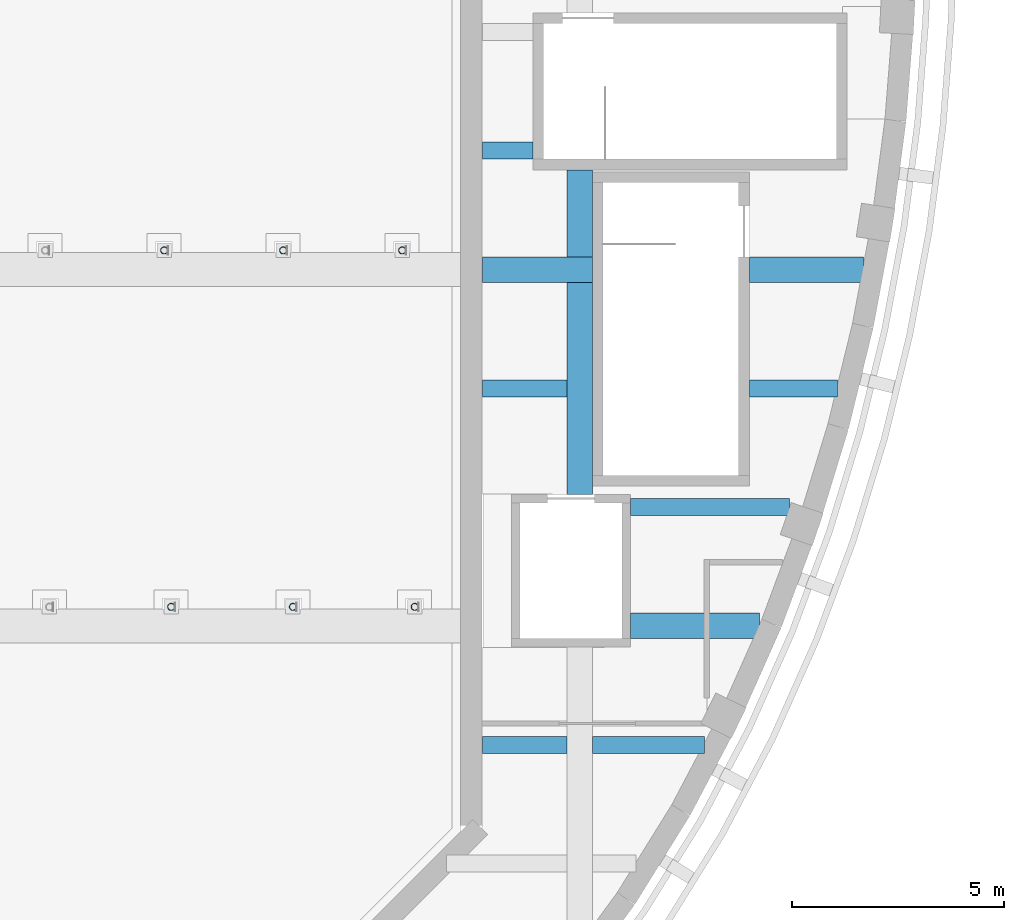
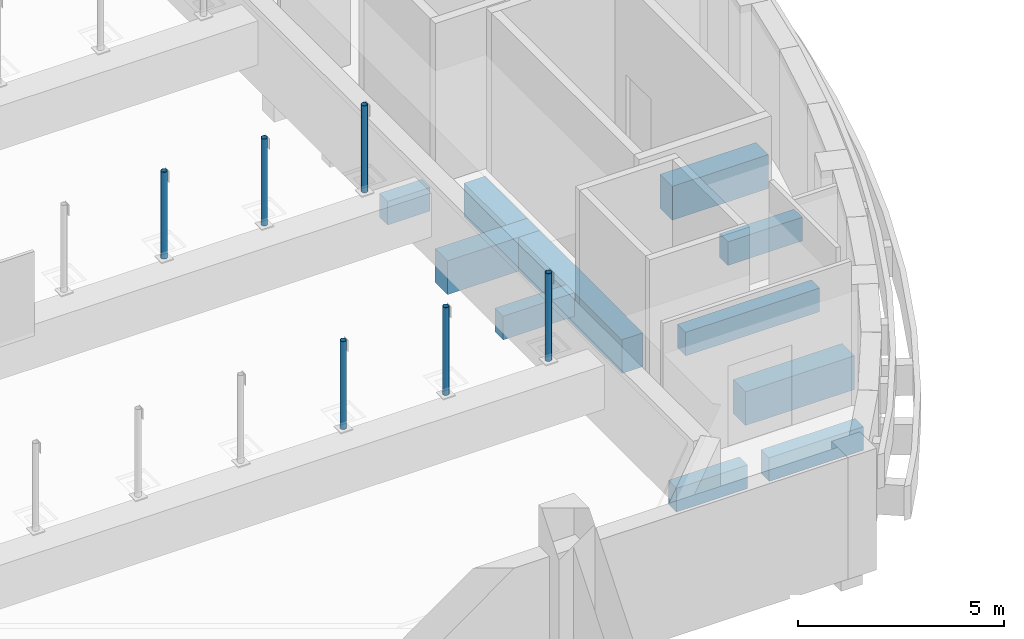
# One storey, part 15 of 47: 10 beams, 6 members.
"""IFC4 building model written with IfcOpenShell, lengths in metres."""

from ifc_helpers import new_model, si_unit, direction, frame, origin, origin_2d, place, context, subcontext, project, spatial, rectangle, hollow_circle, extrude, material, material_profile, profile_set, type_object, element, save


model = new_model("IFC4")

# Units and contexts
model_context = context("Model", 3, precision=1e-05, world=origin(), true_north=direction((0.0, 1.0)))
body_context = subcontext(model_context, "Body", "Model", "MODEL_VIEW")
ifc_project = project(units=[si_unit("LENGTHUNIT", "METRE"), si_unit("AREAUNIT", "SQUARE_METRE"), si_unit("VOLUMEUNIT", "CUBIC_METRE"), si_unit("PLANEANGLEUNIT", "RADIAN"), si_unit("MASSUNIT", "GRAM", prefix="KILO")], contexts=[model_context])

# Site, building, storey
site_placement = place(None, origin())
site = spatial("IfcSite", under=ifc_project, at=site_placement, CompositionType="ELEMENT")
building_placement = place(site_placement, origin())
building = spatial("IfcBuilding", under=site, at=building_placement, Name="Larchfold Concert Hall", CompositionType="ELEMENT")
storey_placement = place(building_placement, frame((0.0, 0.0, 24.0)))
storey = spatial("IfcBuildingStorey", under=building, at=storey_placement, Name="L05", CompositionType="ELEMENT", Elevation=24.0)

# Beams
ifc_material_1 = material(Name="Concrete C35/45", Category="concrete")
ifc_material_profile_1 = material_profile(ifc_material_1, rectangle(XDim=0.39990234375, YDim=0.699951171875, at=origin_2d()))
ifc_profile_set_1 = profile_set([ifc_material_profile_1], Name="Concrete C35/45")
beam_type_1 = type_object("IfcBeamType", Name="Beam RC 400x700", PredefinedType="BEAM", material=ifc_profile_set_1)
beam_1_placement = place(storey_placement, frame((57.110107421875, 65.0, -0.550048828125), z_axis=(1.0, 0.0, 0.0), x_axis=(0.0, 1.0, 0.0)))
element("IfcBeam", 1, at=beam_1_placement, inside=storey, type_object=beam_type_1, Name="Beam B1556", PredefinedType="BEAM", context=body_context, shape_type="SweptSolid", body=[
    extrude(rectangle(XDim=0.39990234375, YDim=0.699951171875, at=origin_2d()), origin(), (0.0, 0.0, 1.0), 1.989990234375),
])
beam_2_placement = place(storey_placement, frame((59.699951171875, 65.0, -0.550048828125), z_axis=(1.0, 0.0, 0.0), x_axis=(0.0, 1.0, 0.0)))
element("IfcBeam", 2, at=beam_2_placement, inside=storey, type_object=beam_type_1, Name="Beam B1557", PredefinedType="BEAM", context=body_context, shape_type="SweptSolid", body=[
    extrude(rectangle(XDim=0.39990234375, YDim=0.699951171875, at=origin_2d()), origin(), (0.0, 0.0, 1.0), 2.64013671875),
])
beam_3_placement = place(storey_placement, frame((60.60009765625, 70.60009765625, -0.550048828125), z_axis=(1.0, 0.0, 0.0), x_axis=(0.0, 1.0, 0.0)))
element("IfcBeam", 3, at=beam_3_placement, inside=storey, type_object=beam_type_1, Name="Beam B1559", PredefinedType="BEAM", context=body_context, shape_type="SweptSolid", body=[
    extrude(rectangle(XDim=0.39990234375, YDim=0.699951171875, at=origin_2d()), origin(), (0.0, 0.0, 1.0), 3.748779296875),
])
beam_4_placement = place(storey_placement, frame((57.110107421875, 73.39990234375, -0.550048828125), z_axis=(1.0, 0.0, 0.0), x_axis=(0.0, 1.0, 0.0)))
element("IfcBeam", 4, at=beam_4_placement, inside=storey, type_object=beam_type_1, Name="Beam B1562", PredefinedType="BEAM", context=body_context, shape_type="SweptSolid", body=[
    extrude(rectangle(XDim=0.39990234375, YDim=0.699951171875, at=origin_2d()), origin(), (0.0, 0.0, 1.0), 1.989990234375),
])
beam_5_placement = place(storey_placement, frame((63.39990234375, 73.39990234375, -0.550048828125), z_axis=(1.0, 0.0, 0.0), x_axis=(0.0, 1.0, 0.0)))
element("IfcBeam", 5, at=beam_5_placement, inside=storey, type_object=beam_type_1, Name="Beam B1563", PredefinedType="BEAM", context=body_context, shape_type="SweptSolid", body=[
    extrude(rectangle(XDim=0.39990234375, YDim=0.699951171875, at=origin_2d()), origin(), (0.0, 0.0, 1.0), 2.0791015625),
])
beam_6_placement = place(storey_placement, frame((57.110107421875, 79.0, -0.550048828125), z_axis=(1.0, 0.0, 0.0), x_axis=(0.0, 1.0, 0.0)))
element("IfcBeam", 6, at=beam_6_placement, inside=storey, type_object=beam_type_1, Name="Beam B1565", PredefinedType="BEAM", context=body_context, shape_type="SweptSolid", body=[
    extrude(rectangle(XDim=0.39990234375, YDim=0.699951171875, at=origin_2d()), origin(), (0.0, 0.0, 1.0), 1.18994140625),
])
ifc_material_2 = material(Name="Concrete C35/45", Category="concrete")
ifc_material_profile_2 = material_profile(ifc_material_2, rectangle(XDim=0.60009765625, YDim=1.0, at=origin_2d()))
ifc_profile_set_2 = profile_set([ifc_material_profile_2], Name="Concrete C35/45")
beam_type_2 = type_object("IfcBeamType", Name="Beam RC 600x1000", PredefinedType="BEAM", material=ifc_profile_set_2)
beam_7_placement = place(storey_placement, frame((59.39990234375, 70.89990234375, -0.699951171875), z_axis=(0.0, 1.0, 0.0), x_axis=(-1.0, 0.0, 0.0)))
element("IfcBeam", 7, at=beam_7_placement, inside=storey, type_object=beam_type_2, Name="Beam B1530", PredefinedType="BEAM", context=body_context, shape_type="SweptSolid", body=[
    extrude(rectangle(XDim=0.60009765625, YDim=1.0, at=origin_2d()), origin(), (0.0, 0.0, 1.0), 7.650146484375),
])
beam_8_placement = place(storey_placement, frame((60.60009765625, 67.800048828125, -0.699951171875), z_axis=(1.0, 0.0, 0.0), x_axis=(0.0, 1.0, 0.0)))
element("IfcBeam", 8, at=beam_8_placement, inside=storey, type_object=beam_type_2, Name="Beam B1533", PredefinedType="BEAM", context=body_context, shape_type="SweptSolid", body=[
    extrude(rectangle(XDim=0.60009765625, YDim=1.0, at=origin_2d()), origin(), (0.0, 0.0, 1.0), 3.04638671875),
])
beam_9_placement = place(storey_placement, frame((57.110107421875, 76.199951171875, -0.699951171875), z_axis=(1.0, 0.0, 0.0), x_axis=(0.0, 1.0, 0.0)))
element("IfcBeam", 9, at=beam_9_placement, inside=storey, type_object=beam_type_2, Name="Beam B1536", PredefinedType="BEAM", context=body_context, shape_type="SweptSolid", body=[
    extrude(rectangle(XDim=0.60009765625, YDim=1.0, at=origin_2d()), origin(), (0.0, 0.0, 1.0), 2.58984375),
])
beam_10_placement = place(storey_placement, frame((63.39990234375, 76.199951171875, -0.699951171875), z_axis=(1.0, 0.0, 0.0), x_axis=(0.0, 1.0, 0.0)))
element("IfcBeam", 10, at=beam_10_placement, inside=storey, type_object=beam_type_2, Name="Beam B1537", PredefinedType="BEAM", context=body_context, shape_type="SweptSolid", body=[
    extrude(rectangle(XDim=0.60009765625, YDim=1.0, at=origin_2d()), origin(), (0.0, 0.0, 1.0), 2.68994140625),
])

# Members
ifc_material_3 = material(Name="Steel S355J2H", Category="steel")
ifc_material_profile_3 = material_profile(ifc_material_3, hollow_circle(Radius=0.084228515625, WallThickness=0.008056640625, at=origin_2d()))
ifc_profile_set_3 = profile_set([ifc_material_profile_3], Name="Steel S355J2H")
member_type = type_object("IfcMemberType", Name="Truss post CHS 168.3x8", PredefinedType="POST", material=ifc_profile_set_3)
for number, where, z_axis, x_axis, name in (
    (11, (49.775390625, 68.25, 2.080078125), (0.0, 0.0, 1.0), (1.0, 0.0, 0.0), "Member TP008"),
    (12, (52.6455078125, 68.25, 2.080078125), (0.0, 0.0, 1.0), (1.0, 0.0, 0.0), "Member TP009"),
    (13, (55.515380859375, 68.25, 2.080078125), (0.0, 0.0, 1.0), (1.0, 0.0, 0.0), "Member TP010"),
):
    element("IfcMember", number, at=place(storey_placement, frame(where, z_axis=z_axis, x_axis=x_axis)), inside=storey, type_object=member_type, Name=name, PredefinedType="POST", context=body_context, shape_type="SweptSolid", body=[
        extrude(hollow_circle(Radius=0.084228515625, WallThickness=0.008056640625, at=origin_2d()), origin(), (0.0, 0.0, 1.0), 2.594970703125),
    ])
for number, where, z_axis, x_axis, name in (
    (14, (49.610595703125, 76.650146484375, 2.080078125), (0.0, 0.0, 1.0), (1.0, 0.0, 0.0), "Member TP018"),
    (15, (52.414794921875, 76.650146484375, 2.080078125), (0.0, 0.0, 1.0), (1.0, 0.0, 0.0), "Member TP019"),
    (16, (55.218994140625, 76.650146484375, 2.080078125), (0.0, 0.0, 1.0), (1.0, 0.0, 0.0), "Member TP020"),
):
    element("IfcMember", number, at=place(storey_placement, frame(where, z_axis=z_axis, x_axis=x_axis)), inside=storey, type_object=member_type, Name=name, PredefinedType="POST", context=body_context, shape_type="SweptSolid", body=[
        extrude(hollow_circle(Radius=0.084228515625, WallThickness=0.008056640625, at=origin_2d()), origin(), (0.0, 0.0, 1.0), 2.570068359375),
    ])

save(model, "model.ifc")
